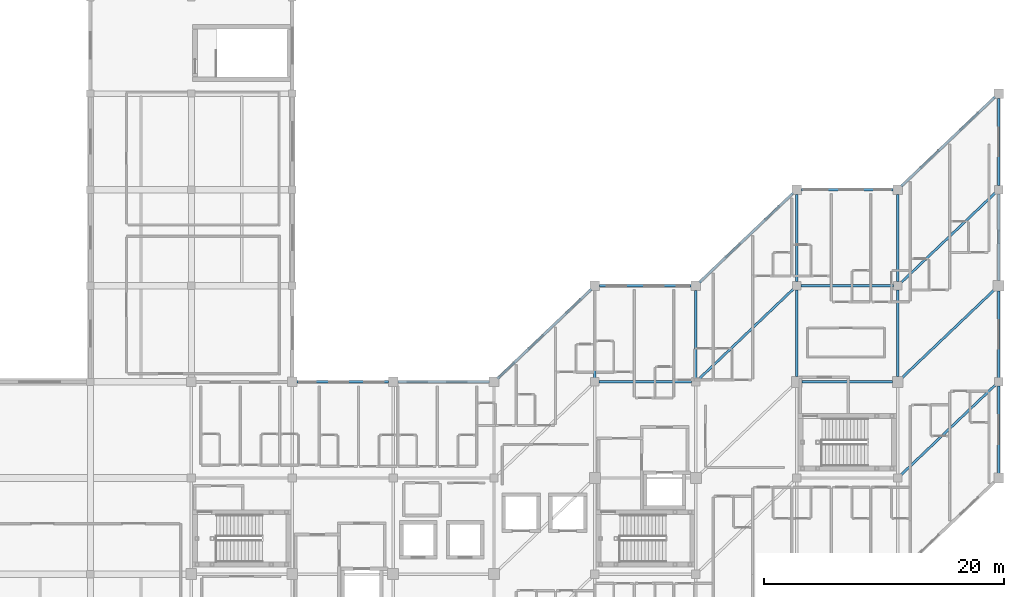
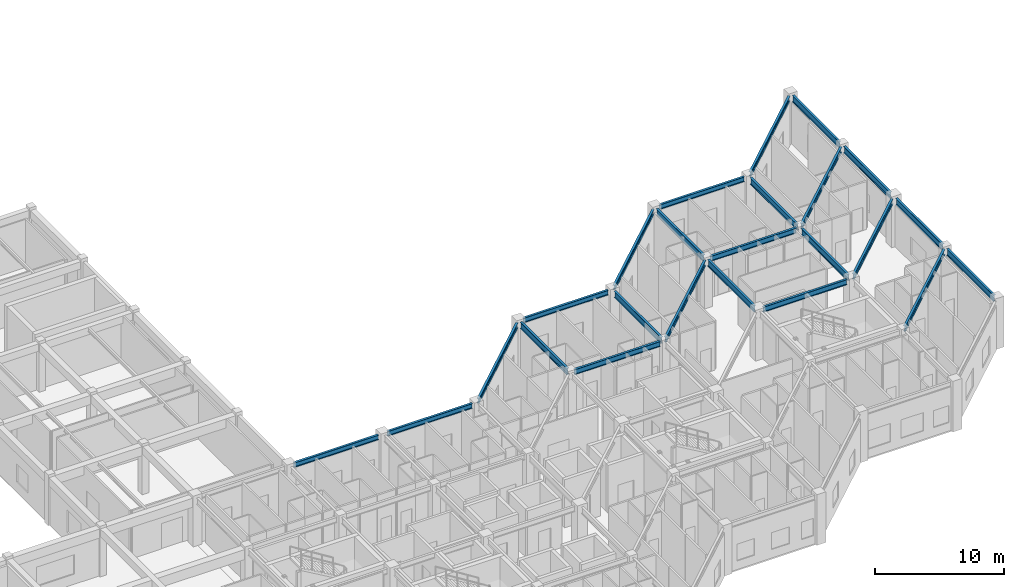
# One storey, part 14 of 37: 24 beams.
"""IFC4 building model written with IfcOpenShell, lengths in metres."""

from ifc_helpers import new_model, si_unit, direction, frame, origin, origin_2d, place, context, subcontext, project, spatial, i_section, extrude, material, material_profile, profile_set, type_object, element, save


model = new_model("IFC4")

# Units and contexts
model_context = context("Model", 3, precision=1e-05, world=origin(), true_north=direction((0.0, 1.0)))
body_context = subcontext(model_context, "Body", "Model", "MODEL_VIEW")
ifc_project = project(units=[si_unit("LENGTHUNIT", "METRE"), si_unit("AREAUNIT", "SQUARE_METRE"), si_unit("VOLUMEUNIT", "CUBIC_METRE"), si_unit("PLANEANGLEUNIT", "RADIAN"), si_unit("MASSUNIT", "GRAM", prefix="KILO")], contexts=[model_context])

# Site, building, storey
site_placement = place(None, origin())
site = spatial("IfcSite", under=ifc_project, at=site_placement, CompositionType="ELEMENT")
building_placement = place(site_placement, origin())
building = spatial("IfcBuilding", under=site, at=building_placement, Name="Naruveol Harbour Congress Hotel", CompositionType="ELEMENT")
storey_placement = place(building_placement, frame((0.0, 0.0, 16.199951171875)))
storey = spatial("IfcBuildingStorey", under=building, at=storey_placement, Name="L03", CompositionType="ELEMENT", Elevation=16.199951171875)

# Beams
ifc_material_1 = material(Name="Steel SN490", Category="steel")
ifc_material_profile_1 = material_profile(ifc_material_1, i_section(OverallWidth=0.199951171875, OverallDepth=0.5, WebThickness=0.010009765625, FlangeThickness=0.01611328125, at=origin_2d()), Name="H-500x200x10x16")
ifc_profile_set_1 = profile_set([ifc_material_profile_1], Name="Steel SN490")
beam_type_1 = type_object("IfcBeamType", Name="STEEL FLOOR GIRDER H500", PredefinedType="BEAM", material=ifc_profile_set_1)
beam_1_placement = place(storey_placement, frame((151.5458984375, 32.0, 4.330078125), z_axis=(1.0, 0.0, 0.0), x_axis=(0.0, 1.0, 0.0)))
element("IfcBeam", 1, at=beam_1_placement, inside=storey, type_object=beam_type_1, Name="Hotel chord beam L04 SB2", PredefinedType="BEAM", context=body_context, shape_type="SweptSolid", body=[
    extrude(i_section(OverallWidth=0.199951171875, OverallDepth=0.5, WebThickness=0.010009765625, FlangeThickness=0.01611328125, at=origin_2d()), origin(), (0.0, 0.0, 1.0), 7.7080078125),
])
beam_2_placement = place(storey_placement, frame((159.8505859375, 32.238525390625, 4.330078125), z_axis=(0.724130479369, 0.689662996578, 0.0), x_axis=(-0.689662996578, 0.724130479369, 0.0)))
element("IfcBeam", 2, at=beam_2_placement, inside=storey, type_object=beam_type_1, Name="Hotel chord beam L04 SB2", PredefinedType="BEAM", context=body_context, shape_type="SweptSolid", body=[
    extrude(i_section(OverallWidth=0.199951171875, OverallDepth=0.5, WebThickness=0.010009765625, FlangeThickness=0.01611328125, at=origin_2d()), origin(), (0.0, 0.0, 1.0), 10.908203125),
])
beam_3_placement = place(storey_placement, frame((168.446044921875, 32.0, 4.330078125), z_axis=(1.0, 0.0, 0.0), x_axis=(0.0, 1.0, 0.0)))
element("IfcBeam", 3, at=beam_3_placement, inside=storey, type_object=beam_type_1, Name="Hotel chord beam L04 SB2", PredefinedType="BEAM", context=body_context, shape_type="SweptSolid", body=[
    extrude(i_section(OverallWidth=0.199951171875, OverallDepth=0.5, WebThickness=0.010009765625, FlangeThickness=0.01611328125, at=origin_2d()), origin(), (0.0, 0.0, 1.0), 7.508056640625),
])
beam_4_placement = place(storey_placement, frame((168.345947265625, 40.0, 4.330078125), z_axis=(1.0, 0.0, 0.0), x_axis=(0.0, 1.0, 0.0)))
element("IfcBeam", 4, at=beam_4_placement, inside=storey, type_object=beam_type_1, Name="Hotel chord beam L04 SB2", PredefinedType="BEAM", context=body_context, shape_type="SweptSolid", body=[
    extrude(i_section(OverallWidth=0.199951171875, OverallDepth=0.5, WebThickness=0.010009765625, FlangeThickness=0.01611328125, at=origin_2d()), origin(), (0.0, 0.0, 1.0), 7.7080078125),
])
beam_5_placement = place(storey_placement, frame((176.650634765625, 24.238525390625, 4.330078125), z_axis=(0.724119833693, 0.689674174123, 0.0), x_axis=(-0.689674174123, 0.724119833693, 0.0)))
element("IfcBeam", 5, at=beam_5_placement, inside=storey, type_object=beam_type_1, Name="Hotel chord beam L04 SB2", PredefinedType="BEAM", context=body_context, shape_type="SweptSolid", body=[
    extrude(i_section(OverallWidth=0.199951171875, OverallDepth=0.5, WebThickness=0.010009765625, FlangeThickness=0.01611328125, at=origin_2d()), origin(), (0.0, 0.0, 1.0), 10.907958984375),
])
beam_6_placement = place(storey_placement, frame((176.722900390625, 32.3076171875, 4.330078125), z_axis=(0.724144437485, 0.689648340576, 0.0), x_axis=(-0.689648340576, 0.724144437485, 0.0)))
element("IfcBeam", 6, at=beam_6_placement, inside=storey, type_object=beam_type_1, Name="Hotel chord beam L04 SB2", PredefinedType="BEAM", context=body_context, shape_type="SweptSolid", body=[
    extrude(i_section(OverallWidth=0.199951171875, OverallDepth=0.5, WebThickness=0.010009765625, FlangeThickness=0.01611328125, at=origin_2d()), origin(), (0.0, 0.0, 1.0), 10.7080078125),
])
beam_7_placement = place(storey_placement, frame((176.650634765625, 40.238525390625, 4.330078125), z_axis=(0.724119833693, 0.689674174123, 0.0), x_axis=(-0.689674174123, 0.724119833693, 0.0)))
element("IfcBeam", 7, at=beam_7_placement, inside=storey, type_object=beam_type_1, Name="Hotel chord beam L04 SB2", PredefinedType="BEAM", context=body_context, shape_type="SweptSolid", body=[
    extrude(i_section(OverallWidth=0.199951171875, OverallDepth=0.5, WebThickness=0.010009765625, FlangeThickness=0.01611328125, at=origin_2d()), origin(), (0.0, 0.0, 1.0), 10.907958984375),
])
ifc_material_2 = material(Name="Steel SN490", Category="steel")
ifc_material_profile_2 = material_profile(ifc_material_2, i_section(OverallWidth=0.199951171875, OverallDepth=0.60009765625, WebThickness=0.010986328125, FlangeThickness=0.01708984375, at=origin_2d()), Name="H-600x200x11x17")
ifc_profile_set_2 = profile_set([ifc_material_profile_2], Name="Steel SN490")
beam_type_2 = type_object("IfcBeamType", Name="STEEL PRIMARY FLOOR BEAM H600", PredefinedType="BEAM", material=ifc_profile_set_2)
for number, where, z_axis, x_axis, name in (
    (8, (151.199951171875, 32.345947265625, 4.280029296875), (0.0, 1.0, 0.0), (-1.0, 0.0, 0.0), "Hotel transverse beam L04 SB1"),
    (9, (159.60009765625, 32.345947265625, 4.280029296875), (0.0, 1.0, 0.0), (-1.0, 0.0, 0.0), "Hotel transverse beam L04 SB1"),
):
    element("IfcBeam", number, at=place(storey_placement, frame(where, z_axis=z_axis, x_axis=x_axis)), inside=storey, type_object=beam_type_2, Name=name, PredefinedType="BEAM", context=body_context, shape_type="SweptSolid", body=[
        extrude(i_section(OverallWidth=0.199951171875, OverallDepth=0.60009765625, WebThickness=0.010986328125, FlangeThickness=0.01708984375, at=origin_2d()), origin(), (0.0, 0.0, 1.0), 7.258056640625),
    ])
beam_8_placement = place(storey_placement, frame((168.0, 32.446044921875, 4.280029296875), z_axis=(0.0, 1.0, 0.0), x_axis=(-1.0, 0.0, 0.0)))
element("IfcBeam", 10, at=beam_8_placement, inside=storey, type_object=beam_type_2, Name="Hotel transverse beam L04 SB1", PredefinedType="BEAM", context=body_context, shape_type="SweptSolid", body=[
    extrude(i_section(OverallWidth=0.199951171875, OverallDepth=0.60009765625, WebThickness=0.010986328125, FlangeThickness=0.01708984375, at=origin_2d()), origin(), (0.0, 0.0, 1.0), 7.2080078125),
])
beam_9_placement = place(storey_placement, frame((168.0, 40.345947265625, 4.280029296875), z_axis=(0.0, 1.0, 0.0), x_axis=(-1.0, 0.0, 0.0)))
element("IfcBeam", 11, at=beam_9_placement, inside=storey, type_object=beam_type_2, Name="Hotel transverse beam L04 SB1", PredefinedType="BEAM", context=body_context, shape_type="SweptSolid", body=[
    extrude(i_section(OverallWidth=0.199951171875, OverallDepth=0.60009765625, WebThickness=0.010986328125, FlangeThickness=0.01708984375, at=origin_2d()), origin(), (0.0, 0.0, 1.0), 7.258056640625),
])
beam_10_placement = place(storey_placement, frame((176.39990234375, 32.446044921875, 4.280029296875), z_axis=(0.0, 1.0, 0.0), x_axis=(-1.0, 0.0, 0.0)))
element("IfcBeam", 12, at=beam_10_placement, inside=storey, type_object=beam_type_2, Name="Hotel transverse beam L04 SB1", PredefinedType="BEAM", context=body_context, shape_type="SweptSolid", body=[
    extrude(i_section(OverallWidth=0.199951171875, OverallDepth=0.60009765625, WebThickness=0.010986328125, FlangeThickness=0.01708984375, at=origin_2d()), origin(), (0.0, 0.0, 1.0), 7.2080078125),
])
for number, where, z_axis, x_axis, name in (
    (13, (176.39990234375, 40.345947265625, 4.280029296875), (0.0, 1.0, 0.0), (-1.0, 0.0, 0.0), "Hotel transverse beam L04 SB1"),
    (14, (184.800048828125, 24.39599609375, 4.280029296875), (0.0, 1.0, 0.0), (-1.0, 0.0, 0.0), "Hotel transverse beam L04 SB1"),
):
    element("IfcBeam", number, at=place(storey_placement, frame(where, z_axis=z_axis, x_axis=x_axis)), inside=storey, type_object=beam_type_2, Name=name, PredefinedType="BEAM", context=body_context, shape_type="SweptSolid", body=[
        extrude(i_section(OverallWidth=0.199951171875, OverallDepth=0.60009765625, WebThickness=0.010986328125, FlangeThickness=0.01708984375, at=origin_2d()), origin(), (0.0, 0.0, 1.0), 7.258056640625),
    ])
for number, where, z_axis, x_axis, name in (
    (15, (184.800048828125, 32.345947265625, 4.280029296875), (0.0, 1.0, 0.0), (-1.0, 0.0, 0.0), "Hotel transverse beam L04 SB1"),
    (16, (184.800048828125, 40.446044921875, 4.280029296875), (0.0, 1.0, 0.0), (-1.0, 0.0, 0.0), "Hotel transverse beam L04 SB1"),
):
    element("IfcBeam", number, at=place(storey_placement, frame(where, z_axis=z_axis, x_axis=x_axis)), inside=storey, type_object=beam_type_2, Name=name, PredefinedType="BEAM", context=body_context, shape_type="SweptSolid", body=[
        extrude(i_section(OverallWidth=0.199951171875, OverallDepth=0.60009765625, WebThickness=0.010986328125, FlangeThickness=0.01708984375, at=origin_2d()), origin(), (0.0, 0.0, 1.0), 7.2080078125),
    ])
beam_11_placement = place(storey_placement, frame((184.800048828125, 48.345947265625, 4.280029296875), z_axis=(0.0, 1.0, 0.0), x_axis=(-1.0, 0.0, 0.0)))
element("IfcBeam", 17, at=beam_11_placement, inside=storey, type_object=beam_type_2, Name="Hotel transverse beam L04 SB1", PredefinedType="BEAM", context=body_context, shape_type="SweptSolid", body=[
    extrude(i_section(OverallWidth=0.199951171875, OverallDepth=0.60009765625, WebThickness=0.010986328125, FlangeThickness=0.01708984375, at=origin_2d()), origin(), (0.0, 0.0, 1.0), 7.258056640625),
])
ifc_material_3 = material(Name="Steel SN490", Category="steel")
ifc_material_profile_3 = material_profile(ifc_material_3, i_section(OverallWidth=0.199951171875, OverallDepth=0.449951171875, WebThickness=0.009033203125, FlangeThickness=0.013916015625, at=origin_2d()), Name="H-450x200x9x14")
ifc_profile_set_3 = profile_set([ifc_material_profile_3], Name="Steel SN490")
beam_type_3 = type_object("IfcBeamType", Name="STEEL SPANDREL EDGE BEAM H450", PredefinedType="SPANDREL", material=ifc_profile_set_3)
beam_12_placement = place(storey_placement, frame((126.39599609375, 32.0, 4.31494140625), z_axis=(1.0, 0.0, 0.0), x_axis=(0.0, 1.0, 0.0)))
element("IfcBeam", 18, at=beam_12_placement, inside=storey, type_object=beam_type_3, Name="Hotel chord beam L04 SPB2", PredefinedType="SPANDREL", context=body_context, shape_type="SweptSolid", body=[
    extrude(i_section(OverallWidth=0.199951171875, OverallDepth=0.449951171875, WebThickness=0.009033203125, FlangeThickness=0.013916015625, at=origin_2d()), origin(), (0.0, 0.0, 1.0), 7.60791015625),
])
beam_13_placement = place(storey_placement, frame((134.7958984375, 32.0, 4.35498046875), z_axis=(1.0, 0.0, 0.0), x_axis=(0.0, 1.0, 0.0)))
element("IfcBeam", 19, at=beam_13_placement, inside=storey, type_object=beam_type_3, Name="Hotel chord beam L04 SPB2", PredefinedType="SPANDREL", context=body_context, shape_type="SweptSolid", body=[
    extrude(i_section(OverallWidth=0.199951171875, OverallDepth=0.449951171875, WebThickness=0.009033203125, FlangeThickness=0.013916015625, at=origin_2d()), origin(), (0.0, 0.0, 1.0), 7.608154296875),
])
beam_14_placement = place(storey_placement, frame((143.0869140625, 32.273193359375, 4.35498046875), z_axis=(0.724132558929, 0.68966081308, 0.0), x_axis=(-0.68966081308, 0.724132558929, 0.0)))
element("IfcBeam", 20, at=beam_14_placement, inside=storey, type_object=beam_type_3, Name="Hotel chord beam L04 SPB2", PredefinedType="SPANDREL", context=body_context, shape_type="SweptSolid", body=[
    extrude(i_section(OverallWidth=0.199951171875, OverallDepth=0.449951171875, WebThickness=0.009033203125, FlangeThickness=0.013916015625, at=origin_2d()), origin(), (0.0, 0.0, 1.0), 10.8076171875),
])
beam_15_placement = place(storey_placement, frame((151.595947265625, 40.0, 4.35498046875), z_axis=(1.0, 0.0, 0.0), x_axis=(0.0, 1.0, 0.0)))
element("IfcBeam", 21, at=beam_15_placement, inside=storey, type_object=beam_type_3, Name="Hotel chord beam L04 SPB2", PredefinedType="SPANDREL", context=body_context, shape_type="SweptSolid", body=[
    extrude(i_section(OverallWidth=0.199951171875, OverallDepth=0.449951171875, WebThickness=0.009033203125, FlangeThickness=0.013916015625, at=origin_2d()), origin(), (0.0, 0.0, 1.0), 7.608154296875),
])
beam_16_placement = place(storey_placement, frame((159.88671875, 40.273193359375, 4.35498046875), z_axis=(0.724143303008, 0.689649531798, 0.0), x_axis=(-0.689649531798, 0.724143303008, 0.0)))
element("IfcBeam", 22, at=beam_16_placement, inside=storey, type_object=beam_type_3, Name="Hotel chord beam L04 SPB2", PredefinedType="SPANDREL", context=body_context, shape_type="SweptSolid", body=[
    extrude(i_section(OverallWidth=0.199951171875, OverallDepth=0.449951171875, WebThickness=0.009033203125, FlangeThickness=0.013916015625, at=origin_2d()), origin(), (0.0, 0.0, 1.0), 10.807861328125),
])
beam_17_placement = place(storey_placement, frame((168.39599609375, 48.0, 4.35498046875), z_axis=(1.0, 0.0, 0.0), x_axis=(0.0, 1.0, 0.0)))
element("IfcBeam", 23, at=beam_17_placement, inside=storey, type_object=beam_type_3, Name="Hotel chord beam L04 SPB2", PredefinedType="SPANDREL", context=body_context, shape_type="SweptSolid", body=[
    extrude(i_section(OverallWidth=0.199951171875, OverallDepth=0.449951171875, WebThickness=0.009033203125, FlangeThickness=0.013916015625, at=origin_2d()), origin(), (0.0, 0.0, 1.0), 7.60791015625),
])
beam_18_placement = place(storey_placement, frame((176.686767578125, 48.273193359375, 4.35498046875), z_axis=(0.724143303008, 0.689649531798, 0.0), x_axis=(-0.689649531798, 0.724143303008, 0.0)))
element("IfcBeam", 24, at=beam_18_placement, inside=storey, type_object=beam_type_3, Name="Hotel chord beam L04 SPB2", PredefinedType="SPANDREL", context=body_context, shape_type="SweptSolid", body=[
    extrude(i_section(OverallWidth=0.199951171875, OverallDepth=0.449951171875, WebThickness=0.009033203125, FlangeThickness=0.013916015625, at=origin_2d()), origin(), (0.0, 0.0, 1.0), 10.807861328125),
])

save(model, "model.ifc")
